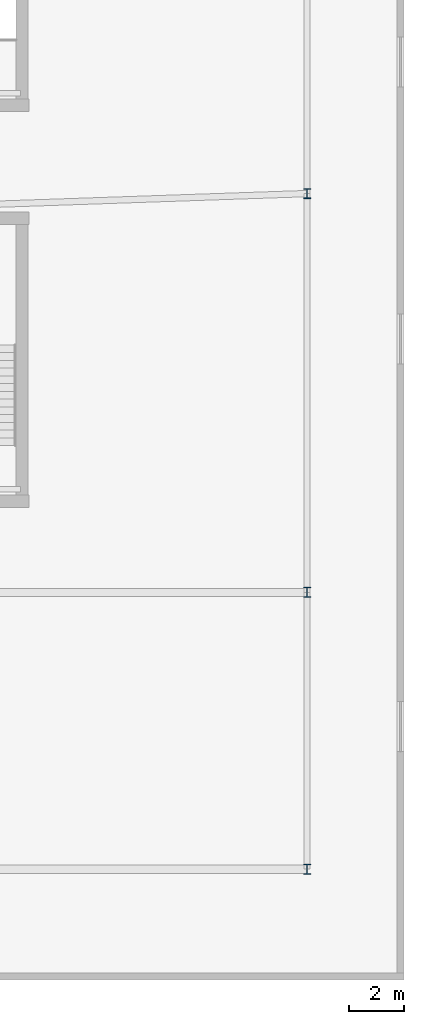
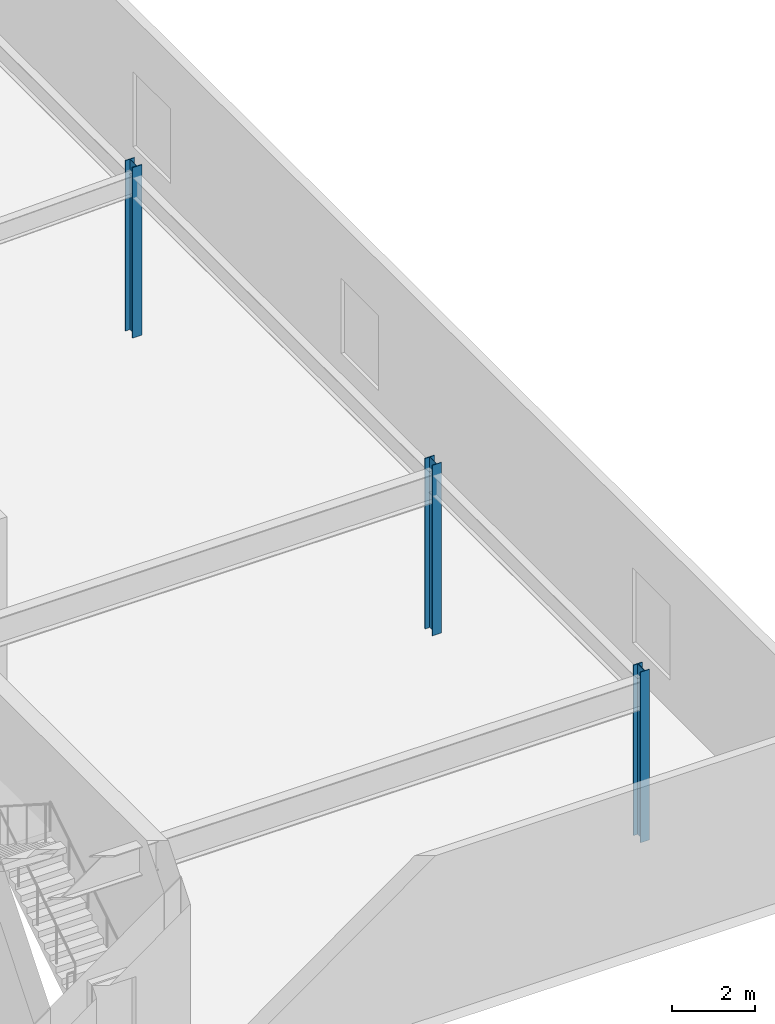
# One storey, part 2 of 14: 3 columns.
"""IFC4 building model written with IfcOpenShell, lengths in metres."""

from ifc_helpers import new_model, si_unit, derived_unit, direction, frame, origin, origin_2d, place, context, subcontext, project, spatial, i_section, extrude, source, transform, mapped, material, material_profile, profile_set, type_object, element, save


model = new_model("IFC4")

# Units and contexts
model_context = context("Model", 3, precision=1e-05, world=origin(), true_north=direction((0.0, 1.0)))
body_context = subcontext(model_context, "Body", "Model", "MODEL_VIEW")
ifc_project = project(units=[si_unit("LENGTHUNIT", "METRE"), si_unit("AREAUNIT", "SQUARE_METRE"), si_unit("VOLUMEUNIT", "CUBIC_METRE"), si_unit("PLANEANGLEUNIT", "RADIAN"), si_unit("MASSUNIT", "GRAM", prefix="KILO"), derived_unit("THERMALTRANSMITTANCEUNIT", [(si_unit("POWERUNIT", "WATT"), 1), (si_unit("LENGTHUNIT", "METRE"), -2), (si_unit("THERMODYNAMICTEMPERATUREUNIT", "KELVIN"), -1)])], contexts=[model_context])

# Site, building, storey
site_placement = place(None, origin())
site = spatial("IfcSite", under=ifc_project, at=site_placement, CompositionType="ELEMENT")
building_placement = place(site_placement, origin())
building = spatial("IfcBuilding", under=site, at=building_placement, Name="Skarnbrae Concourse Arena and Tower", CompositionType="ELEMENT")
storey_placement = place(building_placement, frame((0.0, 0.0, 21.0)))
storey = spatial("IfcBuildingStorey", under=building, at=storey_placement, Name="L04", CompositionType="ELEMENT", Elevation=21.0)

# Columns
ifc_material = material(Name="Steel CSA G40.21 350W", Category="steel")
ifc_material_profile = material_profile(ifc_material, i_section(OverallWidth=0.257080078125, OverallDepth=0.363037109375, WebThickness=0.012939453125, FlangeThickness=0.021728515625, at=origin_2d()), Name="W360X122")
ifc_profile_set = profile_set([ifc_material_profile], Name="Steel CSA G40.21 350W")
column_type = type_object("IfcColumnType", Name="COL-POD-W360X122", PredefinedType="COLUMN", material=ifc_profile_set)
shared_shape = source(origin(), body_context, "Body", "SweptSolid", [
    extrude(i_section(OverallWidth=0.257080078125, OverallDepth=0.363037109375, WebThickness=0.012939453125, FlangeThickness=0.021728515625, at=origin_2d()), origin(), (0.0, 0.0, 1.0), 5.0),
])
for number, where, z_axis, x_axis, name in (
    (1, (78.5, 4.0, 0.0), (0.0, 0.0, 1.0), (1.0, 0.0, 0.0), "L04 Podium mega-column PC-EP1"),
    (2, (78.5, 14.0, 0.0), (0.0, 0.0, 1.0), (1.0, 0.0, 0.0), "L04 Podium mega-column PC-EP2"),
    (3, (78.5, 28.39990234375, 0.0), (0.0, 0.0, 1.0), (1.0, 0.0, 0.0), "L04 Podium mega-column PC-EP3"),
):
    element("IfcColumn", number, at=place(storey_placement, frame(where, z_axis=z_axis, x_axis=x_axis)), inside=storey, type_object=column_type, Name=name, PredefinedType="COLUMN", context=body_context, shape_type="MappedRepresentation", body=[
        mapped(shared_shape, transform((0.0, 0.0, 0.0))),
    ])

save(model, "model.ifc")
